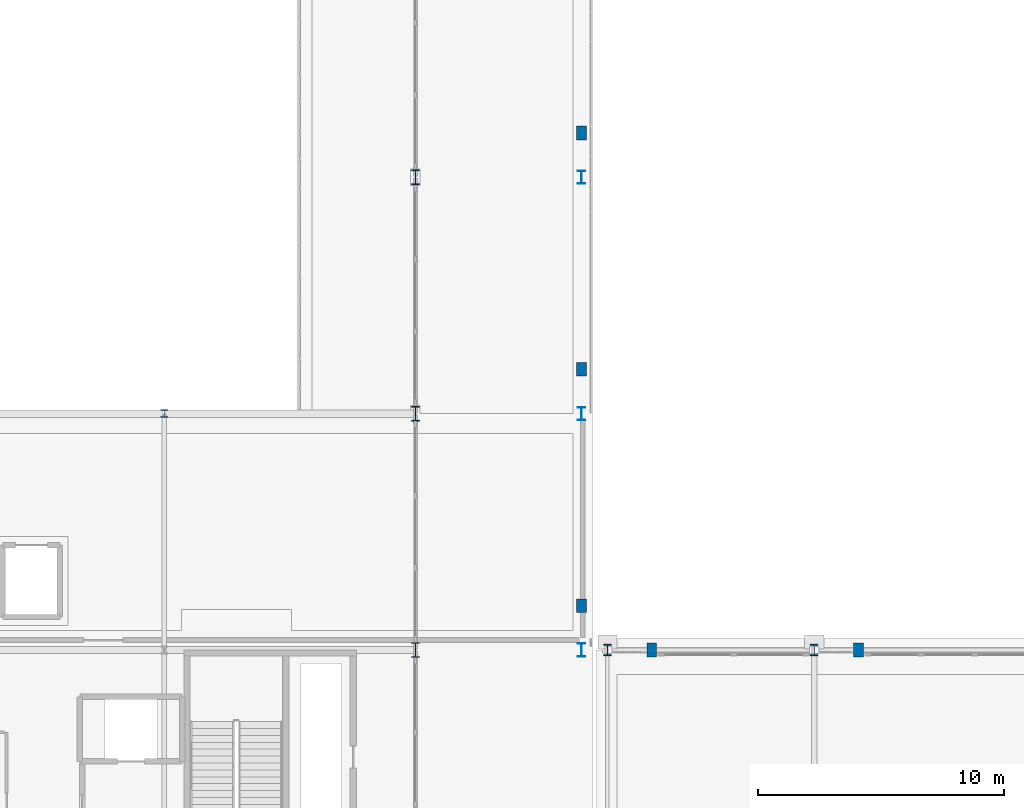
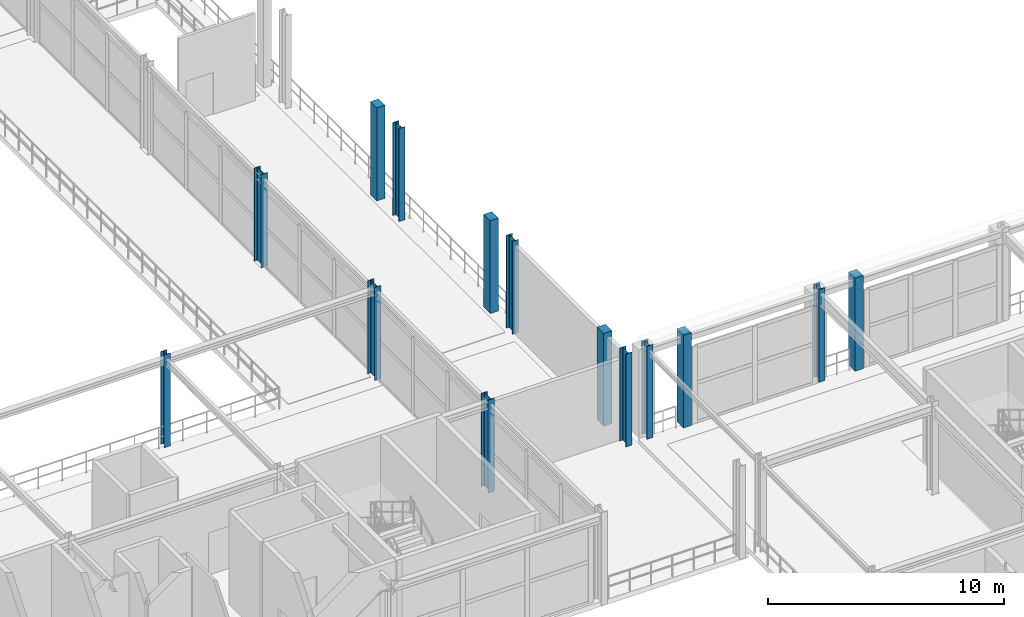
# One storey, part 8 of 125: 14 columns.
"""IFC4 building model written with IfcOpenShell, lengths in metres."""

import ifcopenshell
import ifcopenshell.guid

model = None  # the IFC model being written
_history = None  # IfcOwnerHistory: only IFC2X3 demands one
_inside = {}  # id of a spatial element -> (the spatial element, [elements in it])
_under = {}  # id of a project, library or spatial element -> (it, [spatial elements below it])
_declared = {}  # id of a project -> (the project, [libraries it declares])
_typed = {}  # id of a type object -> (the type object, [elements of that type])
_made_of = {}  # id of a material, layer set ... -> (it, [elements and type objects made of it])


def new_model(schema):
    """Start an empty IFC model of exactly this schema.

    Asked for "IFC4X3", IfcOpenShell would pick the latest addendum, in which some entities
    have other attributes; the version numbers below select the first issue.
    IFC2X3 requires an IfcOwnerHistory on every rooted entity: one is made here for all.
    """
    global model, _history
    if schema == "IFC4X3":
        model = ifcopenshell.file(schema_version=(4, 3, 0, 0))
    else:
        model = ifcopenshell.file(schema=schema)
    _inside.clear()
    _under.clear()
    _declared.clear()
    _typed.clear()
    _made_of.clear()
    _history = None
    if model.schema == "IFC2X3":
        org = make("IfcOrganization", Name="unknown")
        user = make(
            "IfcPersonAndOrganization",
            ThePerson=make("IfcPerson", FamilyName="unknown"),
            TheOrganization=org,
        )
        app = make(
            "IfcApplication",
            ApplicationDeveloper=org,
            Version="unknown",
            ApplicationFullName="unknown",
            ApplicationIdentifier="unknown",
        )
        _history = make(
            "IfcOwnerHistory",
            OwningUser=user,
            OwningApplication=app,
            ChangeAction="ADDED",
            CreationDate=0,
        )
    return model


def make(cls, **values):
    """One entity of the class cls with the attributes given. An attribute that is None is left unset."""
    return model.create_entity(
        cls, **{name: value for name, value in values.items() if value is not None}
    )


def rooted(cls, **values):
    """An entity with a GlobalId (a new one), such as an element, a storey or a relation."""
    return make(cls, GlobalId=ifcopenshell.guid.new(), OwnerHistory=_history, **values)


def si_unit(unit_type, name, prefix=None):
    """IfcSIUnit, for example si_unit("LENGTHUNIT", "METRE", prefix="MILLI")."""
    return make("IfcSIUnit", UnitType=unit_type, Prefix=prefix, Name=name)


def assignment(units):
    """IfcUnitAssignment: the units of a project."""
    return None if units is None else make("IfcUnitAssignment", Units=units)


def point(xyz):
    """IfcCartesianPoint."""
    return None if xyz is None else make("IfcCartesianPoint", Coordinates=xyz)


def direction(xyz):
    """IfcDirection."""
    return None if xyz is None else make("IfcDirection", DirectionRatios=xyz)


def frame(location, z_axis=None, x_axis=None):
    """IfcAxis2Placement3D, a coordinate frame: its origin and axes. An axis left out is left unset."""
    return make(
        "IfcAxis2Placement3D",
        Location=point(location),
        Axis=direction(z_axis),
        RefDirection=direction(x_axis),
    )


def frame_2d(location, x_axis=None):
    """IfcAxis2Placement2D, a coordinate frame in the plane: its origin and x axis."""
    return make(
        "IfcAxis2Placement2D", Location=point(location), RefDirection=direction(x_axis)
    )


def origin():
    """The frame at (0, 0, 0) with its axes left unset."""
    return frame((0.0, 0.0, 0.0))


def origin_2d():
    """The frame at (0, 0) in the plane with its x axis left unset."""
    return frame_2d((0.0, 0.0))


def place(relative_to, where):
    """IfcLocalPlacement: puts the frame where relative to a parent placement (None: the world)."""
    return make(
        "IfcLocalPlacement", PlacementRelTo=relative_to, RelativePlacement=where
    )


def context(
    kind, dimensions, precision=None, world=None, true_north=None, identifier=None
):
    """IfcGeometricRepresentationContext, for example the 3D "Model" context."""
    return make(
        "IfcGeometricRepresentationContext",
        ContextIdentifier=identifier,
        ContextType=kind,
        CoordinateSpaceDimension=dimensions,
        Precision=precision,
        WorldCoordinateSystem=world,
        TrueNorth=true_north,
    )


def subcontext(parent, identifier, kind, view, scale=None):
    """IfcGeometricRepresentationSubContext, for example "Body" below "Model"."""
    return make(
        "IfcGeometricRepresentationSubContext",
        ContextIdentifier=identifier,
        ContextType=kind,
        ParentContext=parent,
        TargetScale=scale,
        TargetView=view,
    )


def project(units=None, contexts=None):
    """IfcProject with its units and contexts."""
    return rooted(
        "IfcProject",
        Name="project",
        RepresentationContexts=contexts,
        UnitsInContext=assignment(units),
    )


def spatial(cls, under=None, at=None, **own):
    """A site, building, storey or space (cls), placed at a placement, below another one or the project."""
    s = rooted(cls, ObjectPlacement=at, **own)
    if under is not None:
        _under.setdefault(under.id(), (under, []))[1].append(s)
    return s


def profile(cls, at=None, kind="AREA", **sizes):
    """A parametric profile (cls). Its sizes go by their IFC names, for example OverallWidth=200.0."""
    return make(cls, ProfileType=kind, Position=at, **sizes)


def rectangle(**sizes):
    """IfcRectangleProfileDef."""
    return profile("IfcRectangleProfileDef", **sizes)


def i_section(**sizes):
    """IfcIShapeProfileDef."""
    return profile("IfcIShapeProfileDef", **sizes)


def extrude(swept, where, along, depth):
    """IfcExtrudedAreaSolid: the profile swept, set in the frame where, extruded along a direction by depth."""
    return make(
        "IfcExtrudedAreaSolid",
        SweptArea=swept,
        Position=where,
        ExtrudedDirection=direction(along),
        Depth=depth,
    )


def shape(context_of_items, identifier, shape_type, items):
    """IfcShapeRepresentation: the items that make up one representation, for example the "Body"."""
    return make(
        "IfcShapeRepresentation",
        ContextOfItems=context_of_items,
        RepresentationIdentifier=identifier,
        RepresentationType=shape_type,
        Items=items,
    )


def material(Name=None, Category=None):
    """IfcMaterial."""
    return make("IfcMaterial", Name=Name, Category=Category)


def material_profile(
    of_material, cross_section, Name=None, Category=None, Priority=None
):
    """IfcMaterialProfile: a cross section and its material."""
    return make(
        "IfcMaterialProfile",
        Name=Name,
        Material=of_material,
        Profile=cross_section,
        Priority=Priority,
        Category=Category,
    )


def profile_set(profiles, Name=None, composite=None):
    """IfcMaterialProfileSet."""
    return make(
        "IfcMaterialProfileSet",
        Name=Name,
        MaterialProfiles=profiles,
        CompositeProfile=composite,
    )


def made_of(thing, what):
    """Note that an element or type object is made of a material, layer set ...; save() writes the relation."""
    if what is not None:
        _made_of.setdefault(what.id(), (what, []))[1].append(thing)
    return thing


def type_object(cls, material=None, **own):
    """A type object (cls), such as IfcWallType, which elements share."""
    return made_of(rooted(cls, **own), material)


def element(
    cls,
    number,
    at=None,
    inside=None,
    cuts=None,
    type_object=None,
    material=None,
    context=None,
    identifier="Body",
    shape_type=None,
    held_by="IfcProductDefinitionShape",
    body=None,
    shapes=None,
    **own,
):
    """One element of the class cls, such as IfcWall. Its Tag is "e" and its number.

    at: its placement. inside: the storey or other place that contains it. cuts: it is an
    opening in that element (IfcRelVoidsElement). A single representation is given by context,
    identifier, shape_type and body (its items); several are given by shapes. held_by: the class
    of the entity that holds the representations. save() writes the other relations.
    """
    e = rooted(cls, Tag="e%d" % number, ObjectPlacement=at, **own)
    if body is not None:
        shapes = [shape(context, identifier, shape_type, body)]
    if shapes is not None:
        e.Representation = make(held_by, Representations=shapes)
    if inside is not None:
        _inside.setdefault(inside.id(), (inside, []))[1].append(e)
    if cuts is not None:
        rooted(
            "IfcRelVoidsElement", RelatingBuildingElement=cuts, RelatedOpeningElement=e
        )
    if type_object is not None:
        _typed.setdefault(type_object.id(), (type_object, []))[1].append(e)
    return made_of(e, material)


def aggregate(whole, parts):
    """IfcRelAggregates: a whole, such as a stair, and the parts it consists of."""
    return rooted("IfcRelAggregates", RelatingObject=whole, RelatedObjects=parts)


def save(model, path):
    """Write the relations noted so far, then the file.

    IfcRelAggregates (storeys below a building ...), IfcRelContainedInSpatialStructure (elements
    in a storey), IfcRelDefinesByType, IfcRelAssociatesMaterial and IfcRelDeclares: one each for
    every whole, place, type object, material and project.
    """
    for whole, parts in _under.values():
        aggregate(whole, parts)
    for where, things in _inside.values():
        rooted(
            "IfcRelContainedInSpatialStructure",
            RelatedElements=things,
            RelatingStructure=where,
        )
    for kind, things in _typed.values():
        rooted("IfcRelDefinesByType", RelatedObjects=things, RelatingType=kind)
    for what, things in _made_of.values():
        rooted("IfcRelAssociatesMaterial", RelatedObjects=things, RelatingMaterial=what)
    for by, libraries in _declared.values():
        rooted("IfcRelDeclares", RelatingContext=by, RelatedDefinitions=libraries)
    model.write(path)


model = new_model("IFC4")

# Units and contexts
model_context = context("Model", 3, precision=1e-05, world=origin(), true_north=direction((0.0, 1.0)))
body_context = subcontext(model_context, "Body", "Model", "MODEL_VIEW")
ifc_project = project(units=[si_unit("LENGTHUNIT", "METRE"), si_unit("AREAUNIT", "SQUARE_METRE"), si_unit("VOLUMEUNIT", "CUBIC_METRE"), si_unit("PLANEANGLEUNIT", "RADIAN"), si_unit("MASSUNIT", "GRAM", prefix="KILO")], contexts=[model_context])

# Site, building, storey
site_placement = place(None, origin())
site = spatial("IfcSite", under=ifc_project, at=site_placement, CompositionType="ELEMENT")
building_placement = place(site_placement, origin())
building = spatial("IfcBuilding", under=site, at=building_placement, Name="Myrtia Square Station", CompositionType="ELEMENT")
storey_placement = place(building_placement, frame((0.0, 0.0, 6.0)))
storey = spatial("IfcBuildingStorey", under=building, at=storey_placement, Name="L01", CompositionType="ELEMENT", Elevation=6.0)

# Columns
ifc_material_1 = material(Name="Steel S355", Category="steel")
ifc_material_profile_1 = material_profile(ifc_material_1, i_section(OverallWidth=0.300048828125, OverallDepth=0.5400390625, WebThickness=0.012451171875, FlangeThickness=0.02392578125, FilletRadius=0.027099609375, at=origin_2d()), Name="HEA 550")
ifc_profile_set_1 = profile_set([ifc_material_profile_1], Name="Steel S355")
column_type_1 = type_object("IfcColumnType", Name="COL-HEA550", PredefinedType="COLUMN", material=ifc_profile_set_1)
for number, where, z_axis, x_axis, name in (
    (1, (116.550048828125, 38.39990234375, 0.0), (0.0, 0.0, 1.0), (1.0, 0.0, 0.0), "Column L01-0270"),
    (2, (116.550048828125, 48.0, 0.0), (0.0, 0.0, 1.0), (1.0, 0.0, 0.0), "Column L01-0292"),
    (3, (116.550048828125, 57.60009765625, 0.0), (0.0, 0.0, 1.0), (1.0, 0.0, 0.0), "Column L01-0314"),
):
    element("IfcColumn", number, at=place(storey_placement, frame(where, z_axis=z_axis, x_axis=x_axis)), inside=storey, type_object=column_type_1, Name=name, PredefinedType="COLUMN", context=body_context, shape_type="SweptSolid", body=[
        extrude(i_section(OverallWidth=0.300048828125, OverallDepth=0.5400390625, WebThickness=0.012451171875, FlangeThickness=0.02392578125, FilletRadius=0.027099609375, at=origin_2d()), origin(), (0.0, 0.0, 1.0), 4.800048828125),
    ])
ifc_material_profile_2 = material_profile(ifc_material_1, i_section(OverallWidth=0.300048828125, OverallDepth=0.300048828125, WebThickness=0.010986328125, FlangeThickness=0.01904296875, FilletRadius=0.027099609375, at=origin_2d()), Name="HEB 300")
ifc_profile_set_2 = profile_set([ifc_material_profile_2], Name="Steel S355")
column_type_2 = type_object("IfcColumnType", Name="COL-HEB300", PredefinedType="COLUMN", material=ifc_profile_set_2)
column_placement = place(storey_placement, frame((99.60009765625, 48.0, 0.0), z_axis=(0.0, 0.0, 1.0), x_axis=(1.0, 0.0, 0.0)))
element("IfcColumn", 4, at=column_placement, inside=storey, type_object=column_type_2, Name="Column L01-0461", PredefinedType="COLUMN", context=body_context, shape_type="SweptSolid", body=[
    extrude(i_section(OverallWidth=0.300048828125, OverallDepth=0.300048828125, WebThickness=0.010986328125, FlangeThickness=0.01904296875, FilletRadius=0.027099609375, at=origin_2d()), origin(), (0.0, 0.0, 1.0), 4.800048828125),
])
ifc_material_profile_3 = material_profile(ifc_material_1, i_section(OverallWidth=0.300048828125, OverallDepth=0.449951171875, WebThickness=0.013916015625, FlangeThickness=0.02587890625, FilletRadius=0.027099609375, at=origin_2d()), Name="HEB 450")
ifc_profile_set_3 = profile_set([ifc_material_profile_3], Name="Steel S355")
column_type_3 = type_object("IfcColumnType", Name="COL-HEB450", PredefinedType="COLUMN", material=ifc_profile_set_3)
for number, where, z_axis, x_axis, name in (
    (5, (117.60009765625, 38.39990234375, 0.0), (0.0, 0.0, 1.0), (1.0, 0.0, 0.0), "Column L01-0581"),
    (6, (126.0, 38.39990234375, 0.0), (0.0, 0.0, 1.0), (1.0, 0.0, 0.0), "Column L01-0606"),
):
    element("IfcColumn", number, at=place(storey_placement, frame(where, z_axis=z_axis, x_axis=x_axis)), inside=storey, type_object=column_type_3, Name=name, PredefinedType="COLUMN", context=body_context, shape_type="SweptSolid", body=[
        extrude(i_section(OverallWidth=0.300048828125, OverallDepth=0.449951171875, WebThickness=0.013916015625, FlangeThickness=0.02587890625, FilletRadius=0.027099609375, at=origin_2d()), origin(), (0.0, 0.0, 1.0), 4.800048828125),
    ])
ifc_material_profile_4 = material_profile(ifc_material_1, i_section(OverallWidth=0.300048828125, OverallDepth=0.60009765625, WebThickness=0.015380859375, FlangeThickness=0.030029296875, FilletRadius=0.027099609375, at=origin_2d()), Name="HEB 600")
ifc_profile_set_4 = profile_set([ifc_material_profile_4], Name="Steel S355")
column_type_4 = type_object("IfcColumnType", Name="COL-HEB600", PredefinedType="COLUMN", material=ifc_profile_set_4)
for number, where, z_axis, x_axis, name in (
    (7, (109.800048828125, 38.39990234375, 0.0), (0.0, 0.0, 1.0), (1.0, 0.0, 0.0), "Column L01-0281"),
    (8, (109.800048828125, 48.0, 0.0), (0.0, 0.0, 1.0), (1.0, 0.0, 0.0), "Column L01-0303"),
    (9, (109.800048828125, 57.60009765625, 0.0), (0.0, 0.0, 1.0), (1.0, 0.0, 0.0), "Column L01-0325"),
):
    element("IfcColumn", number, at=place(storey_placement, frame(where, z_axis=z_axis, x_axis=x_axis)), inside=storey, type_object=column_type_4, Name=name, PredefinedType="COLUMN", context=body_context, shape_type="SweptSolid", body=[
        extrude(i_section(OverallWidth=0.300048828125, OverallDepth=0.60009765625, WebThickness=0.015380859375, FlangeThickness=0.030029296875, FilletRadius=0.027099609375, at=origin_2d()), origin(), (0.0, 0.0, 1.0), 4.800048828125),
    ])
ifc_material_2 = material(Name="Concrete C40/50", Category="concrete")
ifc_material_profile_5 = material_profile(ifc_material_2, rectangle(XDim=0.39990234375, YDim=0.550048828125, at=origin_2d()), Name="PIL 400x550")
ifc_profile_set_5 = profile_set([ifc_material_profile_5], Name="Concrete C40/50")
column_type_5 = type_object("IfcColumnType", Name="PIL-RC400x550", PredefinedType="PILASTER", material=ifc_profile_set_5)
for number, where, z_axis, x_axis, name in (
    (10, (116.550048828125, 40.199951171875, 0.0), (0.0, 0.0, 1.0), (1.0, 0.0, 0.0), "Portales arcade pilaster L01-01"),
    (11, (116.550048828125, 49.800048828125, 0.0), (0.0, 0.0, 1.0), (1.0, 0.0, 0.0), "Portales arcade pilaster L01-02"),
    (12, (116.550048828125, 59.39990234375, 0.0), (0.0, 0.0, 1.0), (1.0, 0.0, 0.0), "Portales arcade pilaster L01-03"),
    (13, (119.39990234375, 38.39990234375, 0.0), (0.0, 0.0, 1.0), (1.0, 0.0, 0.0), "Portales arcade pilaster L01-06"),
    (14, (127.800048828125, 38.39990234375, 0.0), (0.0, 0.0, 1.0), (1.0, 0.0, 0.0), "Portales arcade pilaster L01-07"),
):
    element("IfcColumn", number, at=place(storey_placement, frame(where, z_axis=z_axis, x_axis=x_axis)), inside=storey, type_object=column_type_5, Name=name, PredefinedType="PILASTER", context=body_context, shape_type="SweptSolid", body=[
        extrude(rectangle(XDim=0.39990234375, YDim=0.550048828125, at=origin_2d()), origin(), (0.0, 0.0, 1.0), 4.800048828125),
    ])

save(model, "model.ifc")
